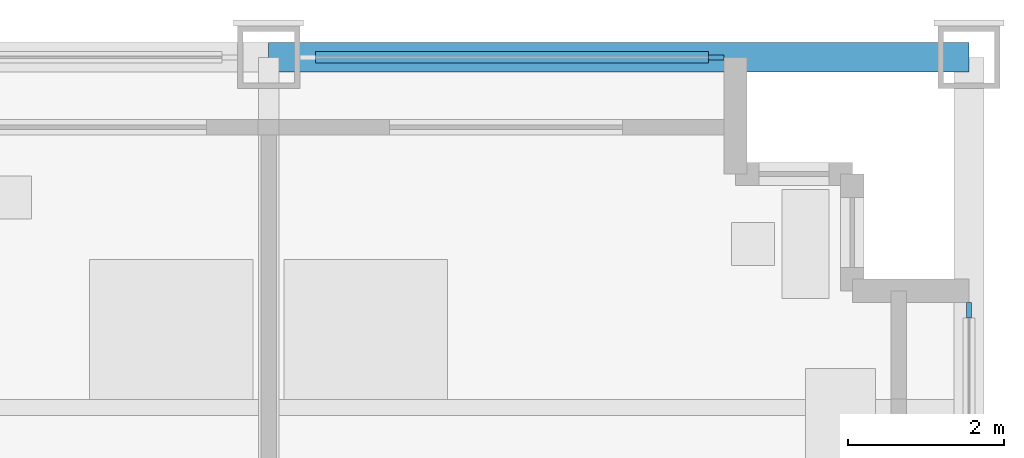
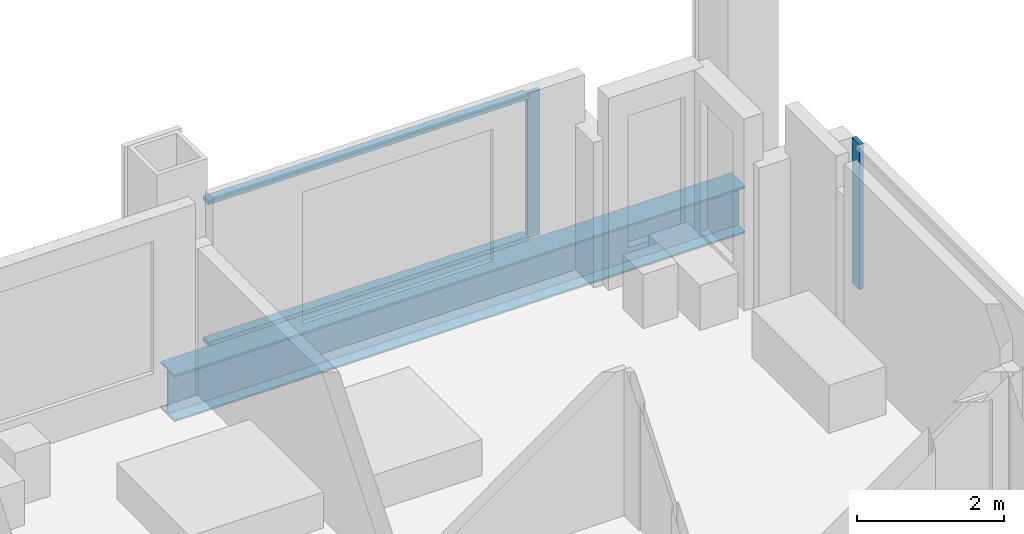
# One storey, part 7 of 16: 4 members, 1 beam, 2 elements without a shape of their own.
"""IFC4 building model written with IfcOpenShell, lengths in metres."""

from ifc_helpers import new_model, si_unit, direction, frame, origin, origin_2d, place, context, subcontext, project, spatial, rectangle, i_section, extrude, material, material_profile, profile_set, type_object, element, aggregate, save


model = new_model("IFC4")

# Units and contexts
model_context = context("Model", 3, precision=1e-05, world=origin(), true_north=direction((0.0, 1.0)))
body_context = subcontext(model_context, "Body", "Model", "MODEL_VIEW")
ifc_project = project(units=[si_unit("LENGTHUNIT", "METRE"), si_unit("AREAUNIT", "SQUARE_METRE"), si_unit("VOLUMEUNIT", "CUBIC_METRE"), si_unit("PLANEANGLEUNIT", "RADIAN"), si_unit("MASSUNIT", "GRAM", prefix="KILO")], contexts=[model_context])

# Site, building, storey
site_placement = place(None, origin())
site = spatial("IfcSite", under=ifc_project, at=site_placement, CompositionType="ELEMENT")
building_placement = place(site_placement, origin())
building = spatial("IfcBuilding", under=site, at=building_placement, Name="Loomwork Tower", CompositionType="ELEMENT")
storey_placement = place(building_placement, frame((0.0, 0.0, 107.800048828125)))
storey = spatial("IfcBuildingStorey", under=building, at=storey_placement, Name="L28", CompositionType="ELEMENT", Elevation=107.800048828125)

# Curtain wall, member
ifc_material_1 = material(Name="Aluminium curtain wall frame", Category="aluminium")
curtain_wall_type = type_object("IfcCurtainWallType", Name="Outer skin glazing hotel", PredefinedType="NOTDEFINED", material=ifc_material_1)
curtain_wall_1_placement = place(storey_placement, origin())
curtain_wall_1 = element("IfcCurtainWall", 1, at=curtain_wall_1_placement, inside=storey, type_object=curtain_wall_type, Name="Outer skin glazing hotel cw/N-36", PredefinedType="NOTDEFINED")
ifc_material_2 = material(Name="Aluminium curtain wall frame", Category="aluminium")
ifc_material_profile_1 = material_profile(ifc_material_2, rectangle(XDim=0.06494140625, YDim=0.199951171875, at=origin_2d()), Name="AL 65x200")
ifc_profile_set_1 = profile_set([ifc_material_profile_1], Name="Aluminium curtain wall frame")
member_type_1 = type_object("IfcMemberType", Name="Outer skin glazing hotel mullion", PredefinedType="MULLION", material=ifc_profile_set_1)
member_1_placement = place(storey_placement, frame((41.75, 36.0, 0.0), z_axis=(0.0, 0.0, 1.0), x_axis=(0.0, -1.0, 0.0)))
member_1 = element("IfcMember", 2, at=member_1_placement, type_object=member_type_1, Name="CW1 mullion 1", PredefinedType="MULLION", context=body_context, shape_type="SweptSolid", body=[
    extrude(rectangle(XDim=0.06494140625, YDim=0.199951171875, at=origin_2d()), origin(), (0.0, 0.0, 1.0), 2.420166015625),
])

curtain_wall_2_placement = place(storey_placement, origin())
curtain_wall_2 = element("IfcCurtainWall", 3, at=curtain_wall_2_placement, inside=storey, type_object=curtain_wall_type, Name="Outer skin glazing hotel cw/E-27", PredefinedType="NOTDEFINED")
member_2_placement = place(storey_placement, frame((45.0, 32.75, 0.0), z_axis=(0.0, 0.0, 1.0), x_axis=(-1.0, 0.0, 0.0)))
member_2 = element("IfcMember", 4, at=member_2_placement, type_object=member_type_1, Name="CW1 mullion 2", PredefinedType="MULLION", context=body_context, shape_type="SweptSolid", body=[
    extrude(rectangle(XDim=0.06494140625, YDim=0.199951171875, at=origin_2d()), origin(), (0.0, 0.0, 1.0), 2.420166015625),
])
aggregate(curtain_wall_2, [member_2])

# Member
ifc_material_3 = material(Name="Aluminium curtain wall frame", Category="aluminium")
ifc_material_profile_2 = material_profile(ifc_material_3, rectangle(XDim=0.14990234375, YDim=0.06494140625, at=origin_2d()), Name="AL 65x150")
ifc_profile_set_2 = profile_set([ifc_material_profile_2], Name="Aluminium curtain wall frame")
member_type_2 = type_object("IfcMemberType", Name="Outer skin glazing hotel transom", PredefinedType="USERDEFINED", material=ifc_profile_set_2)
member_3_placement = place(storey_placement, frame((41.64990234375, 36.0, 0.032470703125), z_axis=(-1.0, 0.0, 0.0), x_axis=(0.0, -1.0, 0.0)))
member_3 = element("IfcMember", 5, at=member_3_placement, type_object=member_type_2, Name="CW1 transom 1.1", ObjectType="TRANSOM", PredefinedType="USERDEFINED", context=body_context, shape_type="SweptSolid", body=[
    extrude(rectangle(XDim=0.14990234375, YDim=0.06494140625, at=origin_2d()), origin(), (0.0, 0.0, 1.0), 5.0498046875),
])

member_4_placement = place(storey_placement, frame((41.64990234375, 36.0, 2.3876953125), z_axis=(-1.0, 0.0, 0.0), x_axis=(0.0, -1.0, 0.0)))
member_4 = element("IfcMember", 6, at=member_4_placement, type_object=member_type_2, Name="CW1 transom 1.2", ObjectType="TRANSOM", PredefinedType="USERDEFINED", context=body_context, shape_type="SweptSolid", body=[
    extrude(rectangle(XDim=0.14990234375, YDim=0.06494140625, at=origin_2d()), origin(), (0.0, 0.0, 1.0), 5.0498046875),
])

aggregate(curtain_wall_1, [member_1, member_3, member_4])

# Beam
ifc_material_4 = material(Name="Steel ASTM A992", Category="steel")
ifc_material_profile_3 = material_profile(ifc_material_4, i_section(OverallWidth=0.381103515625, OverallDepth=0.77978515625, WebThickness=0.01806640625, FlangeThickness=0.0302734375, at=origin_2d()), Name="W30x191")
ifc_profile_set_3 = profile_set([ifc_material_profile_3], Name="Steel ASTM A992")
beam_type = type_object("IfcBeamType", Name="SPANDREL GIRDER W30x191", PredefinedType="SPANDREL", material=ifc_profile_set_3)
beam_placement = place(storey_placement, frame((36.0, 36.0, -0.58984375), z_axis=(1.0, 0.0, 0.0), x_axis=(0.0, 1.0, 0.0)))
element("IfcBeam", 7, at=beam_placement, inside=storey, type_object=beam_type, Name="Spandrel Girder H/6-H/7 L28", PredefinedType="SPANDREL", context=body_context, shape_type="SweptSolid", body=[
    extrude(i_section(OverallWidth=0.381103515625, OverallDepth=0.77978515625, WebThickness=0.01806640625, FlangeThickness=0.0302734375, at=origin_2d()), origin(), (0.0, 0.0, 1.0), 9.0),
])

save(model, "model.ifc")
